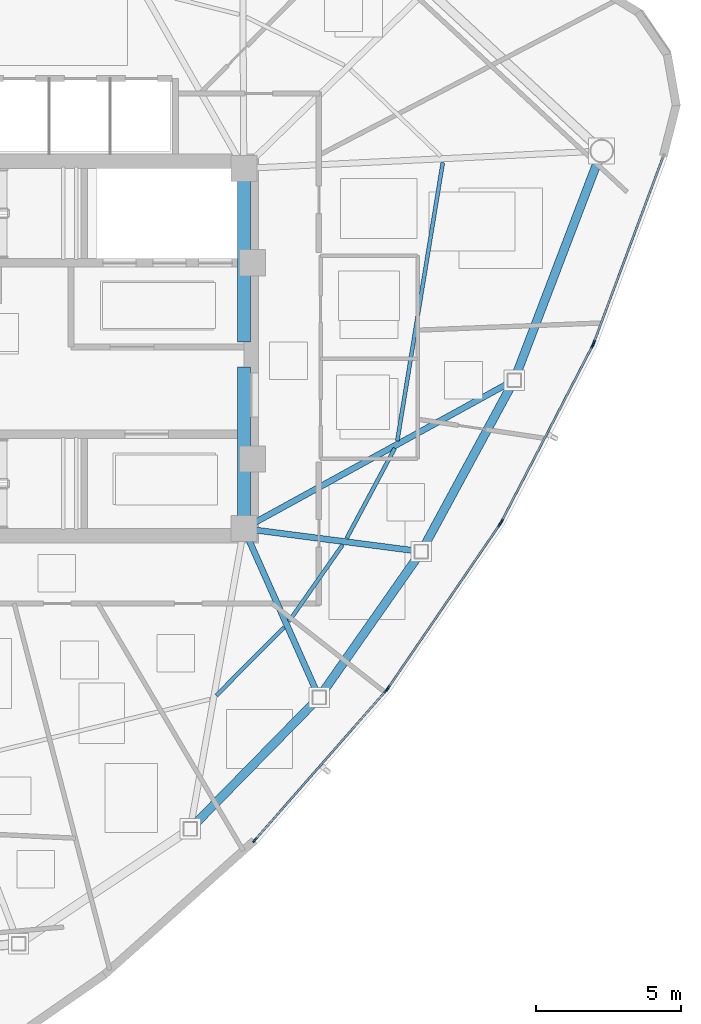
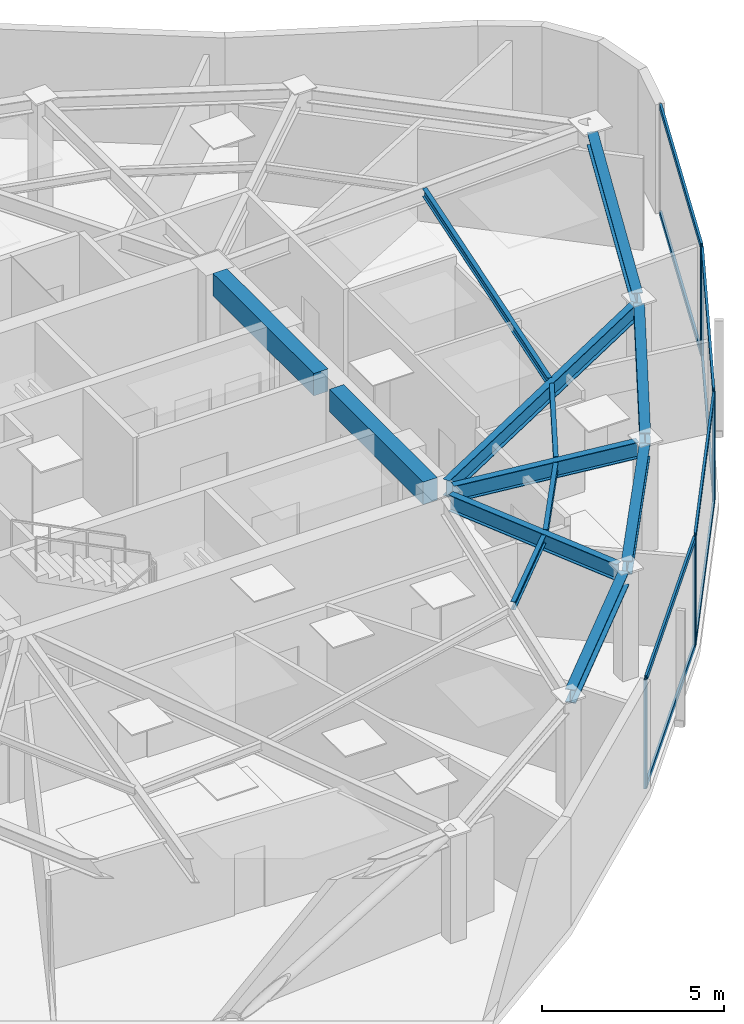
# One storey, part 4 of 13: 15 members, 13 beams, 4 elements without a shape of their own.
"""IFC4 building model written with IfcOpenShell, lengths in metres."""

from ifc_helpers import new_model, si_unit, direction, frame, origin, origin_2d, place, context, subcontext, project, spatial, rectangle, hollow_rectangle, i_section, extrude, source, transform, mapped, material, layer, layer_set, material_profile, profile_set, type_object, type_shapes, element, aggregate, save


model = new_model("IFC4")

# Units and contexts
model_context = context("Model", 3, precision=1e-05, world=origin(), true_north=direction((0.0, 1.0)))
body_context = subcontext(model_context, "Body", "Model", "MODEL_VIEW")
ifc_project = project(units=[si_unit("LENGTHUNIT", "METRE"), si_unit("AREAUNIT", "SQUARE_METRE"), si_unit("VOLUMEUNIT", "CUBIC_METRE"), si_unit("PLANEANGLEUNIT", "RADIAN"), si_unit("MASSUNIT", "GRAM", prefix="KILO")], contexts=[model_context])

# Site, building, storey
site_placement = place(None, origin())
site = spatial("IfcSite", under=ifc_project, at=site_placement, CompositionType="ELEMENT")
building_placement = place(site_placement, origin())
building = spatial("IfcBuilding", under=site, at=building_placement, Name="Tavelor Broadcast Tower", CompositionType="ELEMENT")
storey_placement = place(building_placement, frame((0.0, 0.0, 261.64990234375)))
storey = spatial("IfcBuildingStorey", under=building, at=storey_placement, Name="L62", CompositionType="ELEMENT", Elevation=261.64990234375)

# Beams
ifc_material_1 = material(Name="Concrete C40/50", Category="concrete")
ifc_material_profile_1 = material_profile(ifc_material_1, rectangle(XDim=0.449951171875, YDim=0.75, at=origin_2d()), Name="RC 450x750")
ifc_profile_set_1 = profile_set([ifc_material_profile_1], Name="Concrete C40/50")
beam_type_1 = type_object("IfcBeamType", Name="Basement Core Trim Beam 450x750", PredefinedType="BEAM", material=ifc_profile_set_1)
beam_1_placement = place(storey_placement, frame((56.60009765625, 45.23193359375, 3.275146484375), z_axis=(0.0, 1.0, 0.0), x_axis=(-1.0, 0.0, 0.0)))
element("IfcBeam", 1, at=beam_1_placement, inside=storey, type_object=beam_type_1, Name="L62 Core East-N Tie Girder", PredefinedType="BEAM", context=body_context, shape_type="SweptSolid", body=[
    extrude(rectangle(XDim=0.449951171875, YDim=0.75, at=origin_2d()), origin(), (0.0, 0.0, 1.0), 5.5361328125),
])
beam_2_placement = place(storey_placement, frame((56.60009765625, 39.23193359375, 3.275146484375), z_axis=(0.0, 1.0, 0.0), x_axis=(-1.0, 0.0, 0.0)))
element("IfcBeam", 2, at=beam_2_placement, inside=storey, type_object=beam_type_1, Name="L62 Core East-S Tie Girder", PredefinedType="BEAM", context=body_context, shape_type="SweptSolid", body=[
    extrude(rectangle(XDim=0.449951171875, YDim=0.75, at=origin_2d()), origin(), (0.0, 0.0, 1.0), 5.135986328125),
])
ifc_material_2 = material(Name="Steel S355", Category="steel")
ifc_material_profile_2 = material_profile(ifc_material_2, i_section(OverallWidth=0.135009765625, OverallDepth=0.27001953125, WebThickness=0.006591796875, FlangeThickness=0.01025390625, at=origin_2d()), Name="IPE 270")
ifc_profile_set_2 = profile_set([ifc_material_profile_2], Name="Steel S355")
beam_type_2 = type_object("IfcBeamType", Name="Composite Floor Joist T6 IPE 270", PredefinedType="JOIST", material=ifc_profile_set_2)
beam_3_placement = place(storey_placement, frame((55.65087890625, 33.051025390625, 3.51513671875), z_axis=(0.704295844868, 0.709906587448, 0.0), x_axis=(-0.709906587448, 0.704295844868, 0.0)))
element("IfcBeam", 3, at=beam_3_placement, inside=storey, type_object=beam_type_2, Name="L62 Secondary Composite Floor Joist 09", PredefinedType="JOIST", context=body_context, shape_type="SweptSolid", body=[
    extrude(i_section(OverallWidth=0.135009765625, OverallDepth=0.27001953125, WebThickness=0.006591796875, FlangeThickness=0.01025390625, at=origin_2d()), origin(), (0.0, 0.0, 1.0), 3.306884765625),
])
beam_4_placement = place(storey_placement, frame((58.151611328125, 35.603759765625, 3.51513671875), z_axis=(0.574144058432, 0.818754297801, 0.0), x_axis=(-0.818754297801, 0.574144058432, 0.0)))
element("IfcBeam", 4, at=beam_4_placement, inside=storey, type_object=beam_type_2, Name="L62 Secondary Composite Floor Joist 10", PredefinedType="JOIST", context=body_context, shape_type="SweptSolid", body=[
    extrude(i_section(OverallWidth=0.135009765625, OverallDepth=0.27001953125, WebThickness=0.006591796875, FlangeThickness=0.01025390625, at=origin_2d()), origin(), (0.0, 0.0, 1.0), 3.2197265625),
])
beam_5_placement = place(storey_placement, frame((60.140625, 38.46826171875, 3.51513671875), z_axis=(0.471240390591, 0.882004815336, 0.0), x_axis=(-0.882004815336, 0.471240390591, 0.0)))
element("IfcBeam", 5, at=beam_5_placement, inside=storey, type_object=beam_type_2, Name="L62 Secondary Composite Floor Joist 11", PredefinedType="JOIST", context=body_context, shape_type="SweptSolid", body=[
    extrude(i_section(OverallWidth=0.135009765625, OverallDepth=0.27001953125, WebThickness=0.006591796875, FlangeThickness=0.01025390625, at=origin_2d()), origin(), (0.0, 0.0, 1.0), 3.51611328125),
])
beam_6_placement = place(storey_placement, frame((61.882568359375, 41.820556640625, 3.51513671875), z_axis=(0.161347849281, 0.986897599314, 0.0), x_axis=(-0.986897599314, 0.161347849281, 0.0)))
element("IfcBeam", 6, at=beam_6_placement, inside=storey, type_object=beam_type_2, Name="L62 Secondary Composite Floor Joist 12", PredefinedType="JOIST", context=body_context, shape_type="SweptSolid", body=[
    extrude(i_section(OverallWidth=0.135009765625, OverallDepth=0.27001953125, WebThickness=0.006591796875, FlangeThickness=0.01025390625, at=origin_2d()), origin(), (0.0, 0.0, 1.0), 9.708251953125),
])
ifc_material_profile_3 = material_profile(ifc_material_2, i_section(OverallWidth=0.300048828125, OverallDepth=0.449951171875, WebThickness=0.013916015625, FlangeThickness=0.02587890625, at=origin_2d()), Name="HEB 450")
ifc_profile_set_3 = profile_set([ifc_material_profile_3], Name="Steel S355")
beam_type_3 = type_object("IfcBeamType", Name="Perimeter Spandrel Beam T6 HEB 450", PredefinedType="SPANDREL", material=ifc_profile_set_3)
beam_7_placement = place(storey_placement, frame((54.922119140625, 28.6328125, 3.425048828125), z_axis=(0.700176807099, 0.713969494307, 0.0), x_axis=(-0.713969494307, 0.700176807099, 0.0)))
element("IfcBeam", 7, at=beam_7_placement, inside=storey, type_object=beam_type_3, Name="L62 Framed-Tube Ring Spandrel 09", PredefinedType="SPANDREL", context=body_context, shape_type="SweptSolid", body=[
    extrude(i_section(OverallWidth=0.300048828125, OverallDepth=0.449951171875, WebThickness=0.013916015625, FlangeThickness=0.02587890625, at=origin_2d()), origin(), (0.0, 0.0, 1.0), 5.85888671875),
])
beam_8_placement = place(storey_placement, frame((59.330078125, 33.18359375, 3.425048828125), z_axis=(0.57381017658, 0.81898832791, 0.0), x_axis=(-0.81898832791, 0.57381017658, 0.0)))
element("IfcBeam", 8, at=beam_8_placement, inside=storey, type_object=beam_type_3, Name="L62 Framed-Tube Ring Spandrel 10", PredefinedType="SPANDREL", context=body_context, shape_type="SweptSolid", body=[
    extrude(i_section(OverallWidth=0.300048828125, OverallDepth=0.449951171875, WebThickness=0.013916015625, FlangeThickness=0.02587890625, at=origin_2d()), origin(), (0.0, 0.0, 1.0), 5.652099609375),
])
beam_9_placement = place(storey_placement, frame((62.8251953125, 38.22021484375, 3.425048828125), z_axis=(0.47632985399, 0.879266666147, 0.0), x_axis=(-0.879266666147, 0.47632985399, 0.0)))
element("IfcBeam", 9, at=beam_9_placement, inside=storey, type_object=beam_type_3, Name="L62 Framed-Tube Ring Spandrel 11", PredefinedType="SPANDREL", context=body_context, shape_type="SweptSolid", body=[
    extrude(i_section(OverallWidth=0.300048828125, OverallDepth=0.449951171875, WebThickness=0.013916015625, FlangeThickness=0.02587890625, at=origin_2d()), origin(), (0.0, 0.0, 1.0), 6.23046875),
])
beam_10_placement = place(storey_placement, frame((65.992919921875, 44.133544921875, 3.425048828125), z_axis=(0.356694129759, 0.934221225297, 0.0), x_axis=(-0.934221225297, 0.356694129759, 0.0)))
element("IfcBeam", 10, at=beam_10_placement, inside=storey, type_object=beam_type_3, Name="L62 Framed-Tube Ring Spandrel 12", PredefinedType="SPANDREL", context=body_context, shape_type="SweptSolid", body=[
    extrude(i_section(OverallWidth=0.300048828125, OverallDepth=0.449951171875, WebThickness=0.013916015625, FlangeThickness=0.02587890625, at=origin_2d()), origin(), (0.0, 0.0, 1.0), 7.815185546875),
])
ifc_material_profile_4 = material_profile(ifc_material_2, i_section(OverallWidth=0.2099609375, OverallDepth=0.550048828125, WebThickness=0.010986328125, FlangeThickness=0.01708984375, at=origin_2d()), Name="IPE 550")
ifc_profile_set_4 = profile_set([ifc_material_profile_4], Name="Steel S355")
beam_type_4 = type_object("IfcBeamType", Name="Radial Floor Girder T6 IPE 550", PredefinedType="BEAM", material=ifc_profile_set_4)
beam_11_placement = place(storey_placement, frame((56.77587890625, 38.405517578125, 3.375), z_axis=(0.407288107578, -0.913299730333, 0.0), x_axis=(0.913299730333, 0.407288107578, 0.0)))
element("IfcBeam", 11, at=beam_11_placement, inside=storey, type_object=beam_type_4, Name="L62 Radial Primary Floor Girder 10", PredefinedType="BEAM", context=body_context, shape_type="SweptSolid", body=[
    extrude(i_section(OverallWidth=0.2099609375, OverallDepth=0.550048828125, WebThickness=0.010986328125, FlangeThickness=0.01708984375, at=origin_2d()), origin(), (0.0, 0.0, 1.0), 5.69287109375),
])
beam_12_placement = place(storey_placement, frame((57.0283203125, 38.74462890625, 3.375), z_axis=(0.991724434726, -0.128384755977, 0.0), x_axis=(0.128384755977, 0.991724434726, 0.0)))
element("IfcBeam", 12, at=beam_12_placement, inside=storey, type_object=beam_type_4, Name="L62 Radial Primary Floor Girder 11", PredefinedType="BEAM", context=body_context, shape_type="SweptSolid", body=[
    extrude(i_section(OverallWidth=0.2099609375, OverallDepth=0.550048828125, WebThickness=0.010986328125, FlangeThickness=0.01708984375, at=origin_2d()), origin(), (0.0, 0.0, 1.0), 5.489990234375),
])
beam_13_placement = place(storey_placement, frame((56.978759765625, 39.0078125, 3.375), z_axis=(0.876588297322, 0.481241059136, 0.0), x_axis=(-0.481241059136, 0.876588297322, 0.0)))
element("IfcBeam", 13, at=beam_13_placement, inside=storey, type_object=beam_type_4, Name="L62 Radial Primary Floor Girder 12", PredefinedType="BEAM", context=body_context, shape_type="SweptSolid", body=[
    extrude(i_section(OverallWidth=0.2099609375, OverallDepth=0.550048828125, WebThickness=0.010986328125, FlangeThickness=0.01708984375, at=origin_2d()), origin(), (0.0, 0.0, 1.0), 9.9453125),
])

# Curtain wall, members
ifc_material_3 = material(Name="Architectural Anodized Aluminium", Category="aluminium")
ifc_layer = layer(ifc_material_3, 0.199951171875)
ifc_layer_set = layer_set([ifc_layer], Name="Architectural Anodized Aluminium")
curtain_wall_type = type_object("IfcCurtainWallType", Name="Tower High-Zone Triple-Glazed Curtain Wall CW04", PredefinedType="NOTDEFINED", material=ifc_layer_set)
curtain_wall_1_placement = place(storey_placement, origin())
curtain_wall_1 = element("IfcCurtainWall", 14, at=curtain_wall_1_placement, inside=storey, type_object=curtain_wall_type, Name="L62 Curtain Wall CW04 Run 677", PredefinedType="NOTDEFINED")
ifc_material_profile_5 = material_profile(ifc_material_3, hollow_rectangle(XDim=0.070068359375, YDim=0.199951171875, WallThickness=0.02197265625, at=origin_2d()), Name="RHS 70x200x22")
ifc_profile_set_5 = profile_set([ifc_material_profile_5], Name="Architectural Anodized Aluminium")
member_type_1 = type_object("IfcMemberType", Name="CW04 Extruded Aluminium Mullion 70x200", PredefinedType="MULLION", material=ifc_profile_set_5)
shared_shape_1 = source(origin(), body_context, "Body", "SweptSolid", [
    extrude(hollow_rectangle(XDim=0.070068359375, YDim=0.199951171875, WallThickness=0.02197265625, at=origin_2d()), origin(), (0.0, 0.0, 1.0), 3.650146484375),
])
type_shapes(member_type_1, [shared_shape_1])
member_1_placement = place(storey_placement, frame((56.98193359375, 28.07861328125, 0.0), z_axis=(0.0, 0.0, 1.0), x_axis=(-0.751547725913, 0.659678721557, 0.0)))
member_1 = element("IfcMember", 15, at=member_1_placement, type_object=member_type_1, Name="CW04 mullion 1", PredefinedType="MULLION", context=body_context, shape_type="MappedRepresentation", body=[
    mapped(shared_shape_1, transform((0.0, 0.0, 0.0), scale=1.0)),
])
member_2_placement = place(storey_placement, frame((61.4990234375, 33.224853515625, 0.0), z_axis=(0.0, 0.0, 1.0), x_axis=(-0.751547725913, 0.659678721557, 0.0)))
member_2 = element("IfcMember", 16, at=member_2_placement, type_object=member_type_1, Name="CW04 mullion 2", PredefinedType="MULLION", context=body_context, shape_type="MappedRepresentation", body=[
    mapped(shared_shape_1, transform((0.0, 0.0, 0.0), scale=1.0)),
])

curtain_wall_2_placement = place(storey_placement, origin())
curtain_wall_2 = element("IfcCurtainWall", 17, at=curtain_wall_2_placement, inside=storey, type_object=curtain_wall_type, Name="L62 Curtain Wall CW04 Run 678", PredefinedType="NOTDEFINED")
member_3_placement = place(storey_placement, frame((61.560302734375, 33.3037109375, 0.0), z_axis=(0.0, 0.0, 1.0), x_axis=(-0.825854133837, 0.56388380862, 0.0)))
member_3 = element("IfcMember", 18, at=member_3_placement, type_object=member_type_1, Name="CW04 mullion 1", PredefinedType="MULLION", context=body_context, shape_type="MappedRepresentation", body=[
    mapped(shared_shape_1, transform((0.0, 0.0, 0.0), scale=1.0)),
])
member_4_placement = place(storey_placement, frame((65.412841796875, 38.9462890625, 0.0), z_axis=(0.0, 0.0, 1.0), x_axis=(-0.825854133837, 0.56388380862, 0.0)))
member_4 = element("IfcMember", 19, at=member_4_placement, type_object=member_type_1, Name="CW04 mullion 2", PredefinedType="MULLION", context=body_context, shape_type="MappedRepresentation", body=[
    mapped(shared_shape_1, transform((0.0, 0.0, 0.0), scale=1.0)),
])

curtain_wall_3_placement = place(storey_placement, origin())
curtain_wall_3 = element("IfcCurtainWall", 20, at=curtain_wall_3_placement, inside=storey, type_object=curtain_wall_type, Name="L62 Curtain Wall CW04 Run 679", PredefinedType="NOTDEFINED")
member_5_placement = place(storey_placement, frame((65.464111328125, 39.031982421875, 0.0), z_axis=(0.0, 0.0, 1.0), x_axis=(-0.888024304473, 0.459796514412, 0.0)))
member_5 = element("IfcMember", 21, at=member_5_placement, type_object=member_type_1, Name="CW04 mullion 1", PredefinedType="MULLION", context=body_context, shape_type="MappedRepresentation", body=[
    mapped(shared_shape_1, transform((0.0, 0.0, 0.0), scale=1.0)),
])
member_6_placement = place(storey_placement, frame((68.605712890625, 45.09912109375, 0.0), z_axis=(0.0, 0.0, 1.0), x_axis=(-0.888024304473, 0.459796514412, 0.0)))
member_6 = element("IfcMember", 22, at=member_6_placement, type_object=member_type_1, Name="CW04 mullion 2", PredefinedType="MULLION", context=body_context, shape_type="MappedRepresentation", body=[
    mapped(shared_shape_1, transform((0.0, 0.0, 0.0), scale=1.0)),
])

# Curtain wall, member
curtain_wall_4_placement = place(storey_placement, origin())
curtain_wall_4 = element("IfcCurtainWall", 23, at=curtain_wall_4_placement, inside=storey, type_object=curtain_wall_type, Name="L62 Curtain Wall CW04 Run 680", PredefinedType="NOTDEFINED")
member_7_placement = place(storey_placement, frame((68.64599609375, 45.1904296875, 0.0), z_axis=(0.0, 0.0, 1.0), x_axis=(-0.937135138375, 0.34896666377, 0.0)))
member_7 = element("IfcMember", 24, at=member_7_placement, type_object=member_type_1, Name="CW04 mullion 1", PredefinedType="MULLION", context=body_context, shape_type="MappedRepresentation", body=[
    mapped(shared_shape_1, transform((0.0, 0.0, 0.0), scale=1.0)),
])

# Member
ifc_material_profile_6 = material_profile(ifc_material_3, hollow_rectangle(XDim=0.070068359375, YDim=0.199951171875, WallThickness=0.02197265625, at=origin_2d()), Name="RHS 70x200x22")
ifc_profile_set_6 = profile_set([ifc_material_profile_6], Name="Architectural Anodized Aluminium")
member_type_2 = type_object("IfcMemberType", Name="CW04 Extruded Aluminium Transom 70x200", PredefinedType="USERDEFINED", material=ifc_profile_set_6)
shared_shape_2 = source(origin(), body_context, "Body", "SweptSolid", [
    extrude(hollow_rectangle(XDim=0.070068359375, YDim=0.199951171875, WallThickness=0.02197265625, at=origin_2d()), origin(), (0.0, 0.0, 1.0), 6.77734375),
])
member_8_placement = place(storey_placement, frame((57.005126953125, 28.10498046875, 0.03515625), z_axis=(0.659684578383, 0.751542584984, 0.0), x_axis=(-0.751542584984, 0.659684578383, 0.0)))
member_8 = element("IfcMember", 25, at=member_8_placement, type_object=member_type_2, Name="CW04 transom 1.1", ObjectType="TRANSOM", PredefinedType="USERDEFINED", context=body_context, shape_type="MappedRepresentation", body=[
    mapped(shared_shape_2, transform((0.0, 0.0, 0.0), scale=1.0)),
])

member_9_placement = place(storey_placement, frame((57.005126953125, 28.10498046875, 3.614990234375), z_axis=(0.659684578383, 0.751542584984, 0.0), x_axis=(-0.751542584984, 0.659684578383, 0.0)))
member_9 = element("IfcMember", 26, at=member_9_placement, type_object=member_type_2, Name="CW04 transom 1.2", ObjectType="TRANSOM", PredefinedType="USERDEFINED", context=body_context, shape_type="MappedRepresentation", body=[
    mapped(shared_shape_2, transform((0.0, 0.0, 0.0), scale=1.0)),
])

aggregate(curtain_wall_1, [member_1, member_2, member_8, member_9])

shared_shape_3 = source(origin(), body_context, "Body", "SweptSolid", [
    extrude(hollow_rectangle(XDim=0.070068359375, YDim=0.199951171875, WallThickness=0.02197265625, at=origin_2d()), origin(), (0.0, 0.0, 1.0), 6.76220703125),
])
member_10_placement = place(storey_placement, frame((61.580078125, 33.33251953125, 0.03515625), z_axis=(0.563864360539, 0.82586741243, 0.0), x_axis=(-0.82586741243, 0.563864360539, 0.0)))
member_10 = element("IfcMember", 27, at=member_10_placement, type_object=member_type_2, Name="CW04 transom 1.1", ObjectType="TRANSOM", PredefinedType="USERDEFINED", context=body_context, shape_type="MappedRepresentation", body=[
    mapped(shared_shape_3, transform((0.0, 0.0, 0.0), scale=1.0)),
])

member_11_placement = place(storey_placement, frame((61.580078125, 33.33251953125, 3.614990234375), z_axis=(0.563864360539, 0.82586741243, 0.0), x_axis=(-0.82586741243, 0.563864360539, 0.0)))
member_11 = element("IfcMember", 28, at=member_11_placement, type_object=member_type_2, Name="CW04 transom 1.2", ObjectType="TRANSOM", PredefinedType="USERDEFINED", context=body_context, shape_type="MappedRepresentation", body=[
    mapped(shared_shape_3, transform((0.0, 0.0, 0.0), scale=1.0)),
])

aggregate(curtain_wall_2, [member_3, member_4, member_10, member_11])

shared_shape_4 = source(origin(), body_context, "Body", "SweptSolid", [
    extrude(hollow_rectangle(XDim=0.070068359375, YDim=0.199951171875, WallThickness=0.02197265625, at=origin_2d()), origin(), (0.0, 0.0, 1.0), 6.762451171875),
])
member_12_placement = place(storey_placement, frame((65.480224609375, 39.06298828125, 0.03515625), z_axis=(0.459804935846, 0.888019944017, 0.0), x_axis=(-0.888019944017, 0.459804935846, 0.0)))
member_12 = element("IfcMember", 29, at=member_12_placement, type_object=member_type_2, Name="CW04 transom 1.1", ObjectType="TRANSOM", PredefinedType="USERDEFINED", context=body_context, shape_type="MappedRepresentation", body=[
    mapped(shared_shape_4, transform((0.0, 0.0, 0.0), scale=1.0)),
])

member_13_placement = place(storey_placement, frame((65.480224609375, 39.06298828125, 3.614990234375), z_axis=(0.459804935846, 0.888019944017, 0.0), x_axis=(-0.888019944017, 0.459804935846, 0.0)))
member_13 = element("IfcMember", 30, at=member_13_placement, type_object=member_type_2, Name="CW04 transom 1.2", ObjectType="TRANSOM", PredefinedType="USERDEFINED", context=body_context, shape_type="MappedRepresentation", body=[
    mapped(shared_shape_4, transform((0.0, 0.0, 0.0), scale=1.0)),
])

aggregate(curtain_wall_3, [member_5, member_6, member_12, member_13])

shared_shape_5 = source(origin(), body_context, "Body", "SweptSolid", [
    extrude(hollow_rectangle(XDim=0.070068359375, YDim=0.199951171875, WallThickness=0.02197265625, at=origin_2d()), origin(), (0.0, 0.0, 1.0), 6.7783203125),
])
type_shapes(member_type_2, [shared_shape_2, shared_shape_3, shared_shape_4, shared_shape_5])
member_14_placement = place(storey_placement, frame((68.658203125, 45.223388671875, 0.03515625), z_axis=(0.348971346363, 0.937133394676, 0.0), x_axis=(-0.937133394676, 0.348971346363, 0.0)))
member_14 = element("IfcMember", 31, at=member_14_placement, type_object=member_type_2, Name="CW04 transom 1.1", ObjectType="TRANSOM", PredefinedType="USERDEFINED", context=body_context, shape_type="MappedRepresentation", body=[
    mapped(shared_shape_5, transform((0.0, 0.0, 0.0), scale=1.0)),
])

member_15_placement = place(storey_placement, frame((68.658203125, 45.223388671875, 3.614990234375), z_axis=(0.348971346363, 0.937133394676, 0.0), x_axis=(-0.937133394676, 0.348971346363, 0.0)))
member_15 = element("IfcMember", 32, at=member_15_placement, type_object=member_type_2, Name="CW04 transom 1.2", ObjectType="TRANSOM", PredefinedType="USERDEFINED", context=body_context, shape_type="MappedRepresentation", body=[
    mapped(shared_shape_5, transform((0.0, 0.0, 0.0), scale=1.0)),
])

aggregate(curtain_wall_4, [member_7, member_14, member_15])

save(model, "model.ifc")
